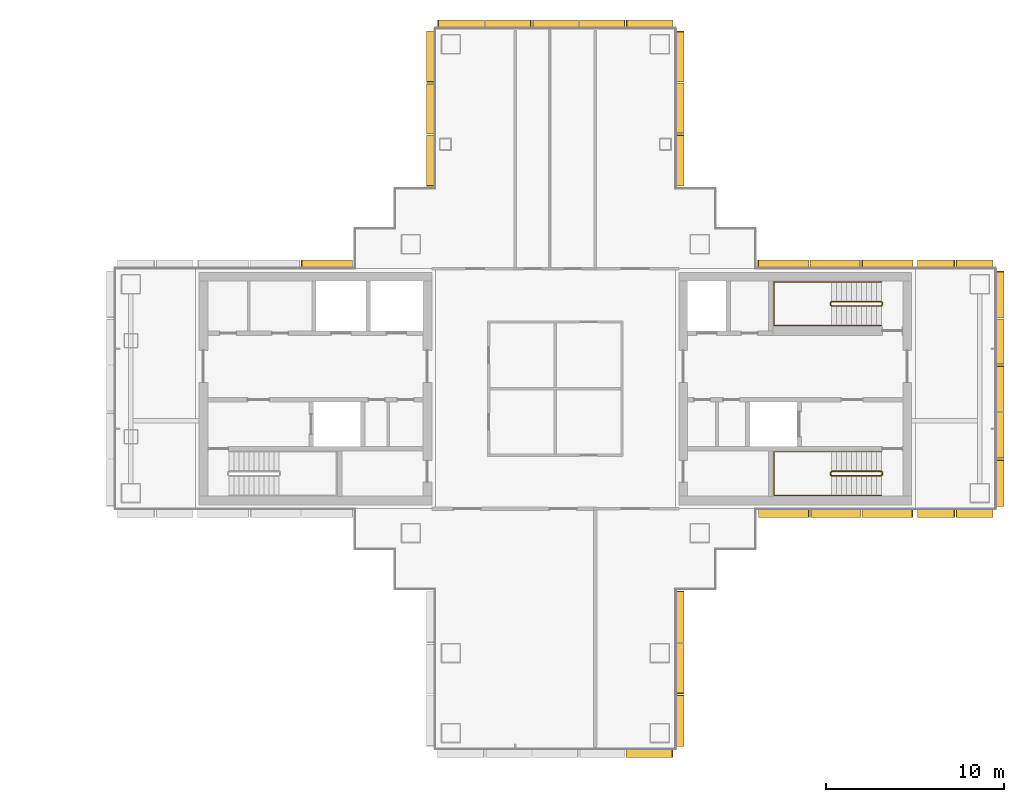
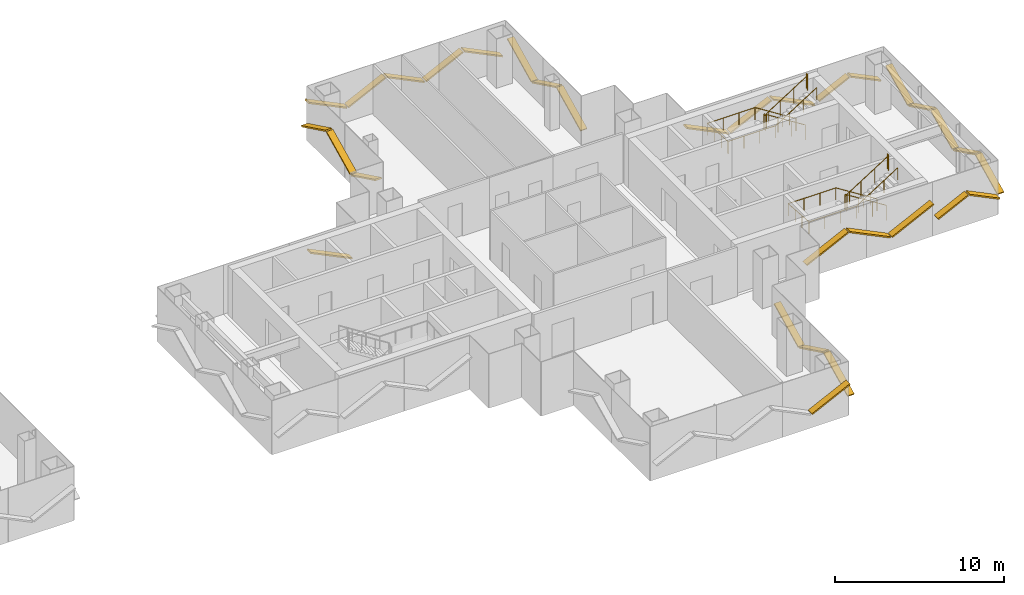
# One storey, part 16 of 16: 31 shading devices, 4 railings.
"""IFC4 building model written with IfcOpenShell, lengths in metres."""

from ifc_helpers import new_model, si_unit, direction, frame, origin, origin_2d, place, context, subcontext, project, spatial, rectangle, circle, extrude, material, material_profile, profile_set, type_object, element, save


model = new_model("IFC4")

# Units and contexts
model_context = context("Model", 3, precision=1e-05, world=origin(), true_north=direction((0.0, 1.0)))
body_context = subcontext(model_context, "Body", "Model", "MODEL_VIEW")
ifc_project = project(units=[si_unit("LENGTHUNIT", "METRE"), si_unit("AREAUNIT", "SQUARE_METRE"), si_unit("VOLUMEUNIT", "CUBIC_METRE"), si_unit("PLANEANGLEUNIT", "RADIAN"), si_unit("MASSUNIT", "GRAM", prefix="KILO")], contexts=[model_context])

# Site, building, storey
site_placement = place(None, origin())
site = spatial("IfcSite", under=ifc_project, at=site_placement, CompositionType="ELEMENT")
building_placement = place(site_placement, origin())
building = spatial("IfcBuilding", under=site, at=building_placement, Name="Shamsa Quay Exchange Towers", CompositionType="ELEMENT")
storey_placement = place(building_placement, frame((0.0, 0.0, 146.699951171875)))
storey = spatial("IfcBuildingStorey", under=building, at=storey_placement, Name="L34", CompositionType="ELEMENT", Elevation=146.699951171875)

# Shading devices
ifc_material_1 = material(Name="Aluminium EN AW-6063 T6, black anodised", Category="aluminium")
ifc_material_profile = material_profile(ifc_material_1, rectangle(XDim=0.449951171875, YDim=0.10009765625, at=origin_2d()), Name="FIN450x100")
ifc_profile_set = profile_set([ifc_material_profile], Name="Aluminium EN AW-6063 T6, black anodised")
shading_device_type = type_object("IfcShadingDeviceType", Name="FIN 450x100 BLACK ALUMINIUM", PredefinedType="USERDEFINED", material=ifc_profile_set)
shading_device_1_placement = place(storey_placement, frame((45.18798828125, -7.01904296875, 0.908203125), z_axis=(0.898807091918, 0.0, 0.438344398296), x_axis=(0.0, 1.0, 0.0)))
element("IfcShadingDevice", 1, at=shading_device_1_placement, inside=storey, type_object=shading_device_type, Name="FIN T2 chevron rib", ObjectType="FIN", PredefinedType="USERDEFINED", context=body_context, shape_type="SweptSolid", body=[
    extrude(rectangle(XDim=0.449951171875, YDim=0.10009765625, at=origin_2d()), origin(), (0.0, 0.0, 1.0), 3.15673828125),
])
shading_device_2_placement = place(storey_placement, frame((48.125244140625, -7.01904296875, 2.27978515625), z_axis=(0.898807785805, 0.0, -0.438342975507), x_axis=(0.0, 1.0, 0.0)))
element("IfcShadingDevice", 2, at=shading_device_2_placement, inside=storey, type_object=shading_device_type, Name="FIN T2 chevron rib", ObjectType="FIN", PredefinedType="USERDEFINED", context=body_context, shape_type="SweptSolid", body=[
    extrude(rectangle(XDim=0.449951171875, YDim=0.10009765625, at=origin_2d()), origin(), (0.0, 0.0, 1.0), 3.10107421875),
])
shading_device_3_placement = place(storey_placement, frame((51.0126953125, -7.01904296875, 0.908203125), z_axis=(0.898807091918, 0.0, 0.438344398296), x_axis=(0.0, 1.0, 0.0)))
element("IfcShadingDevice", 3, at=shading_device_3_placement, inside=storey, type_object=shading_device_type, Name="FIN T2 chevron rib", ObjectType="FIN", PredefinedType="USERDEFINED", context=body_context, shape_type="SweptSolid", body=[
    extrude(rectangle(XDim=0.449951171875, YDim=0.10009765625, at=origin_2d()), origin(), (0.0, 0.0, 1.0), 3.15673828125),
])
for number, where, z_axis, x_axis, name in (
    (4, (54.14990234375, -7.014892578125, 1.10009765625), (0.898814733754, 0.0, 0.43832872868), (0.0, 1.0, 0.0), "FIN T2 chevron rib"),
    (5, (56.300048828125, -7.014892578125, 2.099853515625), (0.898814733754, 0.0, -0.43832872868), (0.0, 1.0, 0.0), "FIN T2 chevron rib"),
):
    element("IfcShadingDevice", number, at=place(storey_placement, frame(where, z_axis=z_axis, x_axis=x_axis)), inside=storey, type_object=shading_device_type, Name=name, ObjectType="FIN", PredefinedType="USERDEFINED", context=body_context, shape_type="SweptSolid", body=[
        extrude(rectangle(XDim=0.449951171875, YDim=0.10009765625, at=origin_2d()), origin(), (0.0, 0.0, 1.0), 2.28076171875),
    ])
shading_device_4_placement = place(storey_placement, frame((58.764892578125, -6.60009765625, 0.968505859375), z_axis=(0.0, 0.898805897141, 0.43834684813), x_axis=(-1.0, 0.0, 0.0)))
element("IfcShadingDevice", 6, at=shading_device_4_placement, inside=storey, type_object=shading_device_type, Name="FIN T2 chevron rib", ObjectType="FIN", PredefinedType="USERDEFINED", context=body_context, shape_type="SweptSolid", body=[
    extrude(rectangle(XDim=0.449951171875, YDim=0.10009765625, at=origin_2d()), origin(), (0.0, 0.0, 1.0), 2.881591796875),
])
shading_device_5_placement = place(storey_placement, frame((58.764892578125, -3.909912109375, 2.219482421875), z_axis=(0.0, 0.898790033474, -0.438379374204), x_axis=(-1.0, 0.0, 0.0)))
element("IfcShadingDevice", 7, at=shading_device_5_placement, inside=storey, type_object=shading_device_type, Name="FIN T2 chevron rib", ObjectType="FIN", PredefinedType="USERDEFINED", context=body_context, shape_type="SweptSolid", body=[
    extrude(rectangle(XDim=0.449951171875, YDim=0.10009765625, at=origin_2d()), origin(), (0.0, 0.0, 1.0), 2.82568359375),
])
shading_device_6_placement = place(storey_placement, frame((58.764892578125, -1.27001953125, 0.980712890625), z_axis=(0.0, 0.898806635049, 0.438345335086), x_axis=(-1.0, 0.0, 0.0)))
element("IfcShadingDevice", 8, at=shading_device_6_placement, inside=storey, type_object=shading_device_type, Name="FIN T2 chevron rib", ObjectType="FIN", PredefinedType="USERDEFINED", context=body_context, shape_type="SweptSolid", body=[
    extrude(rectangle(XDim=0.449951171875, YDim=0.10009765625, at=origin_2d()), origin(), (0.0, 0.0, 1.0), 2.825927734375),
])
shading_device_7_placement = place(storey_placement, frame((58.764892578125, 1.3701171875, 2.219482421875), z_axis=(0.0, 0.898790033474, -0.438379374204), x_axis=(-1.0, 0.0, 0.0)))
element("IfcShadingDevice", 9, at=shading_device_7_placement, inside=storey, type_object=shading_device_type, Name="FIN T2 chevron rib", ObjectType="FIN", PredefinedType="USERDEFINED", context=body_context, shape_type="SweptSolid", body=[
    extrude(rectangle(XDim=0.449951171875, YDim=0.10009765625, at=origin_2d()), origin(), (0.0, 0.0, 1.0), 2.82568359375),
])
shading_device_8_placement = place(storey_placement, frame((58.764892578125, 4.010009765625, 0.968505859375), z_axis=(0.0, 0.898805897141, 0.43834684813), x_axis=(-1.0, 0.0, 0.0)))
element("IfcShadingDevice", 10, at=shading_device_8_placement, inside=storey, type_object=shading_device_type, Name="FIN T2 chevron rib", ObjectType="FIN", PredefinedType="USERDEFINED", context=body_context, shape_type="SweptSolid", body=[
    extrude(rectangle(XDim=0.449951171875, YDim=0.10009765625, at=origin_2d()), origin(), (0.0, 0.0, 1.0), 2.881591796875),
])
for number, where, z_axis, x_axis, name in (
    (11, (58.35009765625, 7.014892578125, 1.10009765625), (-0.898814733754, 0.0, 0.43832872868), (0.0, -1.0, 0.0), "FIN T2 chevron rib"),
    (12, (56.199951171875, 7.014892578125, 2.099853515625), (-0.898814733754, 0.0, -0.43832872868), (0.0, -1.0, 0.0), "FIN T2 chevron rib"),
):
    element("IfcShadingDevice", number, at=place(storey_placement, frame(where, z_axis=z_axis, x_axis=x_axis)), inside=storey, type_object=shading_device_type, Name=name, ObjectType="FIN", PredefinedType="USERDEFINED", context=body_context, shape_type="SweptSolid", body=[
        extrude(rectangle(XDim=0.449951171875, YDim=0.10009765625, at=origin_2d()), origin(), (0.0, 0.0, 1.0), 2.28076171875),
    ])
shading_device_9_placement = place(storey_placement, frame((53.85009765625, 7.01904296875, 0.905029296875), z_axis=(-0.898787683167, 0.0, 0.438384192903), x_axis=(0.0, -1.0, 0.0)))
element("IfcShadingDevice", 13, at=shading_device_9_placement, inside=storey, type_object=shading_device_type, Name="FIN T2 chevron rib", ObjectType="FIN", PredefinedType="USERDEFINED", context=body_context, shape_type="SweptSolid", body=[
    extrude(rectangle(XDim=0.449951171875, YDim=0.10009765625, at=origin_2d()), origin(), (0.0, 0.0, 1.0), 3.171142578125),
])
shading_device_10_placement = place(storey_placement, frame((50.89990234375, 7.01904296875, 2.282958984375), z_axis=(-0.898772964899, 0.0, -0.438414367427), x_axis=(0.0, -1.0, 0.0)))
element("IfcShadingDevice", 14, at=shading_device_10_placement, inside=storey, type_object=shading_device_type, Name="FIN T2 chevron rib", ObjectType="FIN", PredefinedType="USERDEFINED", context=body_context, shape_type="SweptSolid", body=[
    extrude(rectangle(XDim=0.449951171875, YDim=0.10009765625, at=origin_2d()), origin(), (0.0, 0.0, 1.0), 3.115234375),
])
shading_device_11_placement = place(storey_placement, frame((48.0, 7.01904296875, 0.905029296875), z_axis=(-0.898787683167, 0.0, 0.438384192903), x_axis=(0.0, -1.0, 0.0)))
element("IfcShadingDevice", 15, at=shading_device_11_placement, inside=storey, type_object=shading_device_type, Name="FIN T2 chevron rib", ObjectType="FIN", PredefinedType="USERDEFINED", context=body_context, shape_type="SweptSolid", body=[
    extrude(rectangle(XDim=0.449951171875, YDim=0.10009765625, at=origin_2d()), origin(), (0.0, 0.0, 1.0), 3.171142578125),
])
shading_device_12_placement = place(storey_placement, frame((40.764892578125, 11.43798828125, 0.908203125), z_axis=(0.0, 0.898807091918, 0.438344398296), x_axis=(-1.0, 0.0, 0.0)))
element("IfcShadingDevice", 16, at=shading_device_12_placement, inside=storey, type_object=shading_device_type, Name="FIN T2 chevron rib", ObjectType="FIN", PredefinedType="USERDEFINED", context=body_context, shape_type="SweptSolid", body=[
    extrude(rectangle(XDim=0.449951171875, YDim=0.10009765625, at=origin_2d()), origin(), (0.0, 0.0, 1.0), 3.15673828125),
])
shading_device_13_placement = place(storey_placement, frame((40.764892578125, 14.375244140625, 2.27978515625), z_axis=(0.0, 0.898807785805, -0.438342975507), x_axis=(-1.0, 0.0, 0.0)))
element("IfcShadingDevice", 17, at=shading_device_13_placement, inside=storey, type_object=shading_device_type, Name="FIN T2 chevron rib", ObjectType="FIN", PredefinedType="USERDEFINED", context=body_context, shape_type="SweptSolid", body=[
    extrude(rectangle(XDim=0.449951171875, YDim=0.10009765625, at=origin_2d()), origin(), (0.0, 0.0, 1.0), 3.10107421875),
])
shading_device_14_placement = place(storey_placement, frame((40.764892578125, 17.2626953125, 0.908203125), z_axis=(0.0, 0.898807091918, 0.438344398296), x_axis=(-1.0, 0.0, 0.0)))
element("IfcShadingDevice", 18, at=shading_device_14_placement, inside=storey, type_object=shading_device_type, Name="FIN T2 chevron rib", ObjectType="FIN", PredefinedType="USERDEFINED", context=body_context, shape_type="SweptSolid", body=[
    extrude(rectangle(XDim=0.449951171875, YDim=0.10009765625, at=origin_2d()), origin(), (0.0, 0.0, 1.0), 3.15673828125),
])
shading_device_15_placement = place(storey_placement, frame((40.35009765625, 20.514892578125, 0.968505859375), z_axis=(-0.898805897141, 0.0, 0.43834684813), x_axis=(0.0, -1.0, 0.0)))
element("IfcShadingDevice", 19, at=shading_device_15_placement, inside=storey, type_object=shading_device_type, Name="FIN T2 chevron rib", ObjectType="FIN", PredefinedType="USERDEFINED", context=body_context, shape_type="SweptSolid", body=[
    extrude(rectangle(XDim=0.449951171875, YDim=0.10009765625, at=origin_2d()), origin(), (0.0, 0.0, 1.0), 2.881591796875),
])
shading_device_16_placement = place(storey_placement, frame((37.659912109375, 20.514892578125, 2.219482421875), z_axis=(-0.898790033474, 0.0, -0.438379374204), x_axis=(0.0, -1.0, 0.0)))
element("IfcShadingDevice", 20, at=shading_device_16_placement, inside=storey, type_object=shading_device_type, Name="FIN T2 chevron rib", ObjectType="FIN", PredefinedType="USERDEFINED", context=body_context, shape_type="SweptSolid", body=[
    extrude(rectangle(XDim=0.449951171875, YDim=0.10009765625, at=origin_2d()), origin(), (0.0, 0.0, 1.0), 2.82568359375),
])
shading_device_17_placement = place(storey_placement, frame((35.02001953125, 20.514892578125, 0.980712890625), z_axis=(-0.898806635049, 0.0, 0.438345335086), x_axis=(0.0, -1.0, 0.0)))
element("IfcShadingDevice", 21, at=shading_device_17_placement, inside=storey, type_object=shading_device_type, Name="FIN T2 chevron rib", ObjectType="FIN", PredefinedType="USERDEFINED", context=body_context, shape_type="SweptSolid", body=[
    extrude(rectangle(XDim=0.449951171875, YDim=0.10009765625, at=origin_2d()), origin(), (0.0, 0.0, 1.0), 2.825927734375),
])
shading_device_18_placement = place(storey_placement, frame((32.3798828125, 20.514892578125, 2.219482421875), z_axis=(-0.898790033474, 0.0, -0.438379374204), x_axis=(0.0, -1.0, 0.0)))
element("IfcShadingDevice", 22, at=shading_device_18_placement, inside=storey, type_object=shading_device_type, Name="FIN T2 chevron rib", ObjectType="FIN", PredefinedType="USERDEFINED", context=body_context, shape_type="SweptSolid", body=[
    extrude(rectangle(XDim=0.449951171875, YDim=0.10009765625, at=origin_2d()), origin(), (0.0, 0.0, 1.0), 2.82568359375),
])
shading_device_19_placement = place(storey_placement, frame((29.739990234375, 20.514892578125, 0.968505859375), z_axis=(-0.898805897141, 0.0, 0.43834684813), x_axis=(0.0, -1.0, 0.0)))
element("IfcShadingDevice", 23, at=shading_device_19_placement, inside=storey, type_object=shading_device_type, Name="FIN T2 chevron rib", ObjectType="FIN", PredefinedType="USERDEFINED", context=body_context, shape_type="SweptSolid", body=[
    extrude(rectangle(XDim=0.449951171875, YDim=0.10009765625, at=origin_2d()), origin(), (0.0, 0.0, 1.0), 2.881591796875),
])
shading_device_20_placement = place(storey_placement, frame((26.735107421875, 20.10009765625, 0.905029296875), z_axis=(0.0, -0.898787683167, 0.438384192903), x_axis=(1.0, 0.0, 0.0)))
element("IfcShadingDevice", 24, at=shading_device_20_placement, inside=storey, type_object=shading_device_type, Name="FIN T2 chevron rib", ObjectType="FIN", PredefinedType="USERDEFINED", context=body_context, shape_type="SweptSolid", body=[
    extrude(rectangle(XDim=0.449951171875, YDim=0.10009765625, at=origin_2d()), origin(), (0.0, 0.0, 1.0), 3.171142578125),
])
shading_device_21_placement = place(storey_placement, frame((26.735107421875, 17.14990234375, 2.282958984375), z_axis=(0.0, -0.898772964899, -0.438414367427), x_axis=(1.0, 0.0, 0.0)))
element("IfcShadingDevice", 25, at=shading_device_21_placement, inside=storey, type_object=shading_device_type, Name="FIN T2 chevron rib", ObjectType="FIN", PredefinedType="USERDEFINED", context=body_context, shape_type="SweptSolid", body=[
    extrude(rectangle(XDim=0.449951171875, YDim=0.10009765625, at=origin_2d()), origin(), (0.0, 0.0, 1.0), 3.115234375),
])
shading_device_22_placement = place(storey_placement, frame((26.735107421875, 14.25, 0.905029296875), z_axis=(0.0, -0.898787683167, 0.438384192903), x_axis=(1.0, 0.0, 0.0)))
element("IfcShadingDevice", 26, at=shading_device_22_placement, inside=storey, type_object=shading_device_type, Name="FIN T2 chevron rib", ObjectType="FIN", PredefinedType="USERDEFINED", context=body_context, shape_type="SweptSolid", body=[
    extrude(rectangle(XDim=0.449951171875, YDim=0.10009765625, at=origin_2d()), origin(), (0.0, 0.0, 1.0), 3.171142578125),
])
shading_device_23_placement = place(storey_placement, frame((22.31201171875, 7.01904296875, 0.908203125), z_axis=(-0.898807091918, 0.0, 0.438344398296), x_axis=(0.0, -1.0, 0.0)))
element("IfcShadingDevice", 27, at=shading_device_23_placement, inside=storey, type_object=shading_device_type, Name="FIN T2 chevron rib", ObjectType="FIN", PredefinedType="USERDEFINED", context=body_context, shape_type="SweptSolid", body=[
    extrude(rectangle(XDim=0.449951171875, YDim=0.10009765625, at=origin_2d()), origin(), (0.0, 0.0, 1.0), 3.15673828125),
])
shading_device_24_placement = place(storey_placement, frame((37.760009765625, -20.514892578125, 0.968505859375), z_axis=(0.898805897141, 0.0, 0.43834684813), x_axis=(0.0, 1.0, 0.0)))
element("IfcShadingDevice", 28, at=shading_device_24_placement, inside=storey, type_object=shading_device_type, Name="FIN T2 chevron rib", ObjectType="FIN", PredefinedType="USERDEFINED", context=body_context, shape_type="SweptSolid", body=[
    extrude(rectangle(XDim=0.449951171875, YDim=0.10009765625, at=origin_2d()), origin(), (0.0, 0.0, 1.0), 2.881591796875),
])
shading_device_25_placement = place(storey_placement, frame((40.764892578125, -20.10009765625, 0.905029296875), z_axis=(0.0, 0.898787683167, 0.438384192903), x_axis=(-1.0, 0.0, 0.0)))
element("IfcShadingDevice", 29, at=shading_device_25_placement, inside=storey, type_object=shading_device_type, Name="FIN T2 chevron rib", ObjectType="FIN", PredefinedType="USERDEFINED", context=body_context, shape_type="SweptSolid", body=[
    extrude(rectangle(XDim=0.449951171875, YDim=0.10009765625, at=origin_2d()), origin(), (0.0, 0.0, 1.0), 3.171142578125),
])
shading_device_26_placement = place(storey_placement, frame((40.764892578125, -17.14990234375, 2.282958984375), z_axis=(0.0, 0.898772964899, -0.438414367427), x_axis=(-1.0, 0.0, 0.0)))
element("IfcShadingDevice", 30, at=shading_device_26_placement, inside=storey, type_object=shading_device_type, Name="FIN T2 chevron rib", ObjectType="FIN", PredefinedType="USERDEFINED", context=body_context, shape_type="SweptSolid", body=[
    extrude(rectangle(XDim=0.449951171875, YDim=0.10009765625, at=origin_2d()), origin(), (0.0, 0.0, 1.0), 3.115234375),
])
shading_device_27_placement = place(storey_placement, frame((40.764892578125, -14.25, 0.905029296875), z_axis=(0.0, 0.898787683167, 0.438384192903), x_axis=(-1.0, 0.0, 0.0)))
element("IfcShadingDevice", 31, at=shading_device_27_placement, inside=storey, type_object=shading_device_type, Name="FIN T2 chevron rib", ObjectType="FIN", PredefinedType="USERDEFINED", context=body_context, shape_type="SweptSolid", body=[
    extrude(rectangle(XDim=0.449951171875, YDim=0.10009765625, at=origin_2d()), origin(), (0.0, 0.0, 1.0), 3.171142578125),
])

# Railings
ifc_material_2 = material(Name="Stainless steel", Category="steel")
railing_type_1 = type_object("IfcRailingType", Name="STAIR GUARD 1100", PredefinedType="GUARDRAIL", material=ifc_material_2)
railing_1_placement = place(storey_placement, frame((52.10009765625, -4.64990234375, 0.17724609375)))
element("IfcRailing", 32, at=railing_1_placement, inside=storey, type_object=railing_type_1, Name="L34 ST5 stair guard 1", PredefinedType="GUARDRAIL", context=body_context, shape_type="SweptSolid", body=[
    extrude(circle(Radius=0.02392578125, at=origin_2d()), frame((0.0, 0.0, 1.076171875), z_axis=(-0.844908973607, 0.0, 0.534910110503), x_axis=(0.0, -1.0, 0.0)), (0.0, 0.0, 1.0), 3.31396484375),
    extrude(circle(Radius=0.02392578125, at=origin_2d()), frame((-2.800048828125, 0.0, 2.8486328125), z_axis=(-0.707106781187, -0.707106781187, 0.0), x_axis=(0.707106781187, -0.707106781187, 0.0)), (0.0, 0.0, 1.0), 0.07080078125),
    extrude(circle(Radius=0.02392578125, at=origin_2d()), frame((-2.85009765625, -0.050048828125, 2.8486328125), z_axis=(0.0, -1.0, 0.0), x_axis=(1.0, 0.0, 0.0)), (0.0, 0.0, 1.0), 0.150146484375),
    extrude(circle(Radius=0.02392578125, at=origin_2d()), frame((-2.85009765625, -0.2001953125, 2.8486328125), z_axis=(0.262009983441, -0.260731885961, 0.929176868105), x_axis=(0.705375805398, 0.708833529934, 0.0)), (0.0, 0.0, 1.0), 0.19091796875),
    extrude(circle(Radius=0.02392578125, at=origin_2d()), frame((-2.800048828125, -0.25, 3.0263671875), z_axis=(0.844908973607, 0.0, 0.534910110503), x_axis=(0.0, 1.0, 0.0)), (0.0, 0.0, 1.0), 3.31396484375),
    extrude(circle(Radius=0.02392578125, at=origin_2d()), frame((0.0, -0.25, 4.798828125), z_axis=(0.241699205484, 0.970351222016, 0.0), x_axis=(-0.970351222016, 0.241699205484, 0.0)), (0.0, 0.0, 1.0), 0.2060546875),
    extrude(circle(Radius=0.02392578125, at=origin_2d()), frame((0.0498046875, -0.050048828125, 4.798828125), z_axis=(0.0, -1.0, 0.0), x_axis=(1.0, 0.0, 0.0)), (0.0, 0.0, 1.0), 0.150146484375),
    extrude(circle(Radius=0.02099609375, at=origin_2d()), origin(), (0.0, 0.0, 1.0), 1.052001953125),
    extrude(circle(Radius=0.02099609375, at=origin_2d()), frame((-0.933349609375, 0.0, 0.5908203125)), (0.0, 0.0, 1.0), 1.052001953125),
    extrude(circle(Radius=0.02099609375, at=origin_2d()), frame((-1.86669921875, 0.0, 1.181884765625)), (0.0, 0.0, 1.0), 1.052001953125),
    extrude(circle(Radius=0.02099609375, at=origin_2d()), frame((-2.800048828125, 0.0, 1.772705078125)), (0.0, 0.0, 1.0), 1.052001953125),
    extrude(circle(Radius=0.02099609375, at=origin_2d()), frame((-2.85009765625, -0.050048828125, 1.772705078125)), (0.0, 0.0, 1.0), 1.052001953125),
    extrude(circle(Radius=0.02099609375, at=origin_2d()), frame((-2.85009765625, -0.2001953125, 1.772705078125)), (0.0, 0.0, 1.0), 1.052001953125),
    extrude(circle(Radius=0.02099609375, at=origin_2d()), frame((-2.800048828125, -0.25, 1.9501953125)), (0.0, 0.0, 1.0), 1.052001953125),
    extrude(circle(Radius=0.02099609375, at=origin_2d()), frame((-1.86669921875, -0.25, 2.541015625)), (0.0, 0.0, 1.0), 1.052001953125),
    extrude(circle(Radius=0.02099609375, at=origin_2d()), frame((-0.933349609375, -0.25, 3.132080078125)), (0.0, 0.0, 1.0), 1.052001953125),
    extrude(circle(Radius=0.02099609375, at=origin_2d()), frame((0.0, -0.25, 3.722900390625)), (0.0, 0.0, 1.0), 1.052001953125),
    extrude(circle(Radius=0.02099609375, at=origin_2d()), frame((0.0498046875, -0.050048828125, 3.722900390625)), (0.0, 0.0, 1.0), 1.052001953125),
    extrude(circle(Radius=0.02099609375, at=origin_2d()), frame((0.0498046875, -0.2001953125, 3.722900390625)), (0.0, 0.0, 1.0), 1.052001953125),
])
railing_2_placement = place(storey_placement, frame((52.10009765625, 4.89990234375, 0.17724609375)))
element("IfcRailing", 33, at=railing_2_placement, inside=storey, type_object=railing_type_1, Name="L34 ST6 stair guard 1", PredefinedType="GUARDRAIL", context=body_context, shape_type="SweptSolid", body=[
    extrude(circle(Radius=0.02392578125, at=origin_2d()), frame((0.0, 0.0, 1.076171875), z_axis=(-0.844908973607, 0.0, 0.534910110503), x_axis=(0.0, -1.0, 0.0)), (0.0, 0.0, 1.0), 3.31396484375),
    extrude(circle(Radius=0.02392578125, at=origin_2d()), frame((-2.800048828125, 0.0, 2.8486328125), z_axis=(-0.708833529934, -0.705375805398, 0.0), x_axis=(0.705375805398, -0.708833529934, 0.0)), (0.0, 0.0, 1.0), 0.070556640625),
    extrude(circle(Radius=0.02392578125, at=origin_2d()), frame((-2.85009765625, -0.0498046875, 2.8486328125), z_axis=(0.0, -1.0, 0.0), x_axis=(1.0, 0.0, 0.0)), (0.0, 0.0, 1.0), 0.150146484375),
    extrude(circle(Radius=0.02392578125, at=origin_2d()), frame((-2.85009765625, -0.199951171875, 2.8486328125), z_axis=(0.261922500866, -0.261922500866, 0.928866625022), x_axis=(0.707106781187, 0.707106781187, 0.0)), (0.0, 0.0, 1.0), 0.191162109375),
    extrude(circle(Radius=0.02392578125, at=origin_2d()), frame((-2.800048828125, -0.25, 3.0263671875), z_axis=(0.844908973607, 0.0, 0.534910110503), x_axis=(0.0, 1.0, 0.0)), (0.0, 0.0, 1.0), 3.31396484375),
    extrude(circle(Radius=0.02392578125, at=origin_2d()), frame((0.0, -0.25, 4.798828125), z_axis=(0.24142163986, 0.970420317083, 0.0), x_axis=(-0.970420317083, 0.24142163986, 0.0)), (0.0, 0.0, 1.0), 0.206298828125),
    extrude(circle(Radius=0.02392578125, at=origin_2d()), frame((0.0498046875, -0.0498046875, 4.798828125), z_axis=(0.0, -1.0, 0.0), x_axis=(1.0, 0.0, 0.0)), (0.0, 0.0, 1.0), 0.150146484375),
    extrude(circle(Radius=0.02099609375, at=origin_2d()), origin(), (0.0, 0.0, 1.0), 1.052001953125),
    extrude(circle(Radius=0.02099609375, at=origin_2d()), frame((-0.933349609375, 0.0, 0.5908203125)), (0.0, 0.0, 1.0), 1.052001953125),
    extrude(circle(Radius=0.02099609375, at=origin_2d()), frame((-1.86669921875, 0.0, 1.181884765625)), (0.0, 0.0, 1.0), 1.052001953125),
    extrude(circle(Radius=0.02099609375, at=origin_2d()), frame((-2.800048828125, 0.0, 1.772705078125)), (0.0, 0.0, 1.0), 1.052001953125),
    extrude(circle(Radius=0.02099609375, at=origin_2d()), frame((-2.85009765625, -0.0498046875, 1.772705078125)), (0.0, 0.0, 1.0), 1.052001953125),
    extrude(circle(Radius=0.02099609375, at=origin_2d()), frame((-2.85009765625, -0.199951171875, 1.772705078125)), (0.0, 0.0, 1.0), 1.052001953125),
    extrude(circle(Radius=0.02099609375, at=origin_2d()), frame((-2.800048828125, -0.25, 1.9501953125)), (0.0, 0.0, 1.0), 1.052001953125),
    extrude(circle(Radius=0.02099609375, at=origin_2d()), frame((-1.86669921875, -0.25, 2.541015625)), (0.0, 0.0, 1.0), 1.052001953125),
    extrude(circle(Radius=0.02099609375, at=origin_2d()), frame((-0.933349609375, -0.25, 3.132080078125)), (0.0, 0.0, 1.0), 1.052001953125),
    extrude(circle(Radius=0.02099609375, at=origin_2d()), frame((0.0, -0.25, 3.722900390625)), (0.0, 0.0, 1.0), 1.052001953125),
    extrude(circle(Radius=0.02099609375, at=origin_2d()), frame((0.0498046875, -0.0498046875, 3.722900390625)), (0.0, 0.0, 1.0), 1.052001953125),
    extrude(circle(Radius=0.02099609375, at=origin_2d()), frame((0.0498046875, -0.199951171875, 3.722900390625)), (0.0, 0.0, 1.0), 1.052001953125),
])
railing_type_2 = type_object("IfcRailingType", Name="STAIR HANDRAIL 900", PredefinedType="HANDRAIL", material=ifc_material_2)
railing_3_placement = place(storey_placement, frame((52.10009765625, -3.550048828125, 0.17724609375)))
element("IfcRailing", 34, at=railing_3_placement, inside=storey, type_object=railing_type_2, Name="L34 ST5 stair handrail 1", PredefinedType="HANDRAIL", context=body_context, shape_type="SweptSolid", body=[
    extrude(circle(Radius=0.02392578125, at=origin_2d()), frame((0.0, 0.0, 0.8759765625), z_axis=(-0.844908973607, 0.0, 0.534910110503), x_axis=(0.0, -1.0, 0.0)), (0.0, 0.0, 1.0), 3.31396484375),
    extrude(circle(Radius=0.02392578125, at=origin_2d()), frame((-2.800048828125, 0.0, 2.6484375), z_axis=(-1.0, 0.0, 0.0), x_axis=(0.0, -1.0, 0.0)), (0.0, 0.0, 1.0), 3.25),
    extrude(circle(Radius=0.02392578125, at=origin_2d()), frame((-6.050048828125, 0.0, 2.6484375), z_axis=(0.0, -0.997386041853, 0.072257065513), x_axis=(1.0, 0.0, 0.0)), (0.0, 0.0, 1.0), 2.456298828125),
    extrude(circle(Radius=0.02392578125, at=origin_2d()), frame((-6.050048828125, -2.449951171875, 2.826171875), z_axis=(1.0, 0.0, 0.0), x_axis=(0.0, 1.0, 0.0)), (0.0, 0.0, 1.0), 3.25),
    extrude(circle(Radius=0.02392578125, at=origin_2d()), frame((-2.800048828125, -2.449951171875, 2.826171875), z_axis=(0.844908973607, 0.0, 0.534910110503), x_axis=(0.0, 1.0, 0.0)), (0.0, 0.0, 1.0), 3.31396484375),
    extrude(circle(Radius=0.02099609375, at=origin_2d()), origin(), (0.0, 0.0, 1.0), 0.851806640625),
    extrude(circle(Radius=0.02099609375, at=origin_2d()), frame((-0.933349609375, 0.0, 0.5908203125)), (0.0, 0.0, 1.0), 0.851806640625),
    extrude(circle(Radius=0.02099609375, at=origin_2d()), frame((-1.86669921875, 0.0, 1.181884765625)), (0.0, 0.0, 1.0), 0.851806640625),
    extrude(circle(Radius=0.02099609375, at=origin_2d()), frame((-2.800048828125, 0.0, 1.772705078125)), (0.0, 0.0, 1.0), 0.851806640625),
    extrude(circle(Radius=0.02099609375, at=origin_2d()), frame((-3.88330078125, 0.0, 1.772705078125)), (0.0, 0.0, 1.0), 0.851806640625),
    extrude(circle(Radius=0.02099609375, at=origin_2d()), frame((-4.966796875, 0.0, 1.772705078125)), (0.0, 0.0, 1.0), 0.851806640625),
    extrude(circle(Radius=0.02099609375, at=origin_2d()), frame((-6.050048828125, 0.0, 1.772705078125)), (0.0, 0.0, 1.0), 0.851806640625),
    extrude(circle(Radius=0.02099609375, at=origin_2d()), frame((-6.050048828125, -0.816650390625, 1.831787109375)), (0.0, 0.0, 1.0), 0.851806640625),
    extrude(circle(Radius=0.02099609375, at=origin_2d()), frame((-6.050048828125, -1.63330078125, 1.89111328125)), (0.0, 0.0, 1.0), 0.851806640625),
    extrude(circle(Radius=0.02099609375, at=origin_2d()), frame((-6.050048828125, -2.449951171875, 1.9501953125)), (0.0, 0.0, 1.0), 0.851806640625),
    extrude(circle(Radius=0.02099609375, at=origin_2d()), frame((-4.966796875, -2.449951171875, 1.9501953125)), (0.0, 0.0, 1.0), 0.851806640625),
    extrude(circle(Radius=0.02099609375, at=origin_2d()), frame((-3.88330078125, -2.449951171875, 1.9501953125)), (0.0, 0.0, 1.0), 0.851806640625),
    extrude(circle(Radius=0.02099609375, at=origin_2d()), frame((-2.800048828125, -2.449951171875, 1.9501953125)), (0.0, 0.0, 1.0), 0.851806640625),
    extrude(circle(Radius=0.02099609375, at=origin_2d()), frame((-1.86669921875, -2.449951171875, 2.541015625)), (0.0, 0.0, 1.0), 0.851806640625),
    extrude(circle(Radius=0.02099609375, at=origin_2d()), frame((-0.933349609375, -2.449951171875, 3.132080078125)), (0.0, 0.0, 1.0), 0.851806640625),
    extrude(circle(Radius=0.02099609375, at=origin_2d()), frame((0.0, -2.449951171875, 3.722900390625)), (0.0, 0.0, 1.0), 0.851806640625),
])
railing_4_placement = place(storey_placement, frame((52.10009765625, 6.0, 0.17724609375)))
element("IfcRailing", 35, at=railing_4_placement, inside=storey, type_object=railing_type_2, Name="L34 ST6 stair handrail 1", PredefinedType="HANDRAIL", context=body_context, shape_type="SweptSolid", body=[
    extrude(circle(Radius=0.02392578125, at=origin_2d()), frame((0.0, 0.0, 0.8759765625), z_axis=(-0.844908973607, 0.0, 0.534910110503), x_axis=(0.0, -1.0, 0.0)), (0.0, 0.0, 1.0), 3.31396484375),
    extrude(circle(Radius=0.02392578125, at=origin_2d()), frame((-2.800048828125, 0.0, 2.6484375), z_axis=(-1.0, 0.0, 0.0), x_axis=(0.0, -1.0, 0.0)), (0.0, 0.0, 1.0), 3.25),
    extrude(circle(Radius=0.02392578125, at=origin_2d()), frame((-6.050048828125, 0.0, 2.6484375), z_axis=(0.0, -0.997386041853, 0.072257065513), x_axis=(1.0, 0.0, 0.0)), (0.0, 0.0, 1.0), 2.456298828125),
    extrude(circle(Radius=0.02392578125, at=origin_2d()), frame((-6.050048828125, -2.449951171875, 2.826171875), z_axis=(1.0, 0.0, 0.0), x_axis=(0.0, 1.0, 0.0)), (0.0, 0.0, 1.0), 3.25),
    extrude(circle(Radius=0.02392578125, at=origin_2d()), frame((-2.800048828125, -2.449951171875, 2.826171875), z_axis=(0.844908973607, 0.0, 0.534910110503), x_axis=(0.0, 1.0, 0.0)), (0.0, 0.0, 1.0), 3.31396484375),
    extrude(circle(Radius=0.02099609375, at=origin_2d()), origin(), (0.0, 0.0, 1.0), 0.851806640625),
    extrude(circle(Radius=0.02099609375, at=origin_2d()), frame((-0.933349609375, 0.0, 0.5908203125)), (0.0, 0.0, 1.0), 0.851806640625),
    extrude(circle(Radius=0.02099609375, at=origin_2d()), frame((-1.86669921875, 0.0, 1.181884765625)), (0.0, 0.0, 1.0), 0.851806640625),
    extrude(circle(Radius=0.02099609375, at=origin_2d()), frame((-2.800048828125, 0.0, 1.772705078125)), (0.0, 0.0, 1.0), 0.851806640625),
    extrude(circle(Radius=0.02099609375, at=origin_2d()), frame((-3.88330078125, 0.0, 1.772705078125)), (0.0, 0.0, 1.0), 0.851806640625),
    extrude(circle(Radius=0.02099609375, at=origin_2d()), frame((-4.966796875, 0.0, 1.772705078125)), (0.0, 0.0, 1.0), 0.851806640625),
    extrude(circle(Radius=0.02099609375, at=origin_2d()), frame((-6.050048828125, 0.0, 1.772705078125)), (0.0, 0.0, 1.0), 0.851806640625),
    extrude(circle(Radius=0.02099609375, at=origin_2d()), frame((-6.050048828125, -0.816650390625, 1.831787109375)), (0.0, 0.0, 1.0), 0.851806640625),
    extrude(circle(Radius=0.02099609375, at=origin_2d()), frame((-6.050048828125, -1.63330078125, 1.89111328125)), (0.0, 0.0, 1.0), 0.851806640625),
    extrude(circle(Radius=0.02099609375, at=origin_2d()), frame((-6.050048828125, -2.449951171875, 1.9501953125)), (0.0, 0.0, 1.0), 0.851806640625),
    extrude(circle(Radius=0.02099609375, at=origin_2d()), frame((-4.966796875, -2.449951171875, 1.9501953125)), (0.0, 0.0, 1.0), 0.851806640625),
    extrude(circle(Radius=0.02099609375, at=origin_2d()), frame((-3.88330078125, -2.449951171875, 1.9501953125)), (0.0, 0.0, 1.0), 0.851806640625),
    extrude(circle(Radius=0.02099609375, at=origin_2d()), frame((-2.800048828125, -2.449951171875, 1.9501953125)), (0.0, 0.0, 1.0), 0.851806640625),
    extrude(circle(Radius=0.02099609375, at=origin_2d()), frame((-1.86669921875, -2.449951171875, 2.541015625)), (0.0, 0.0, 1.0), 0.851806640625),
    extrude(circle(Radius=0.02099609375, at=origin_2d()), frame((-0.933349609375, -2.449951171875, 3.132080078125)), (0.0, 0.0, 1.0), 0.851806640625),
    extrude(circle(Radius=0.02099609375, at=origin_2d()), frame((0.0, -2.449951171875, 3.722900390625)), (0.0, 0.0, 1.0), 0.851806640625),
])

save(model, "model.ifc")
